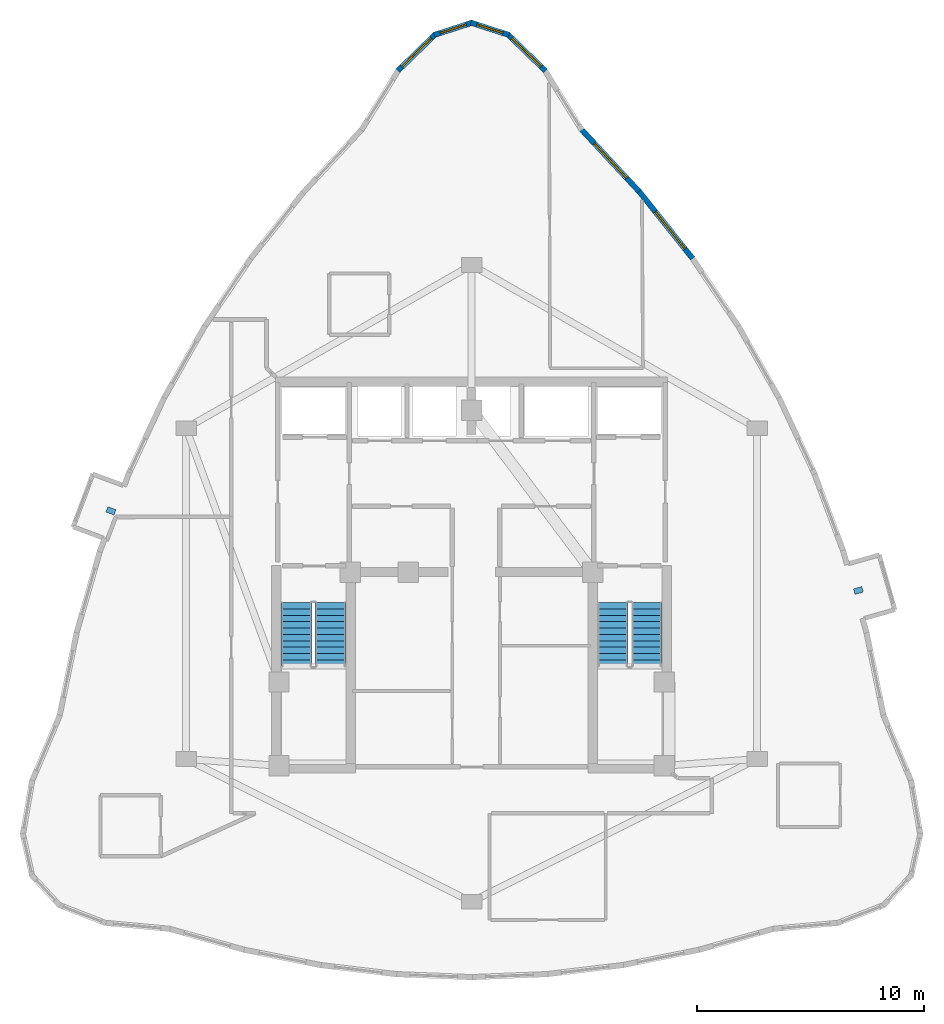
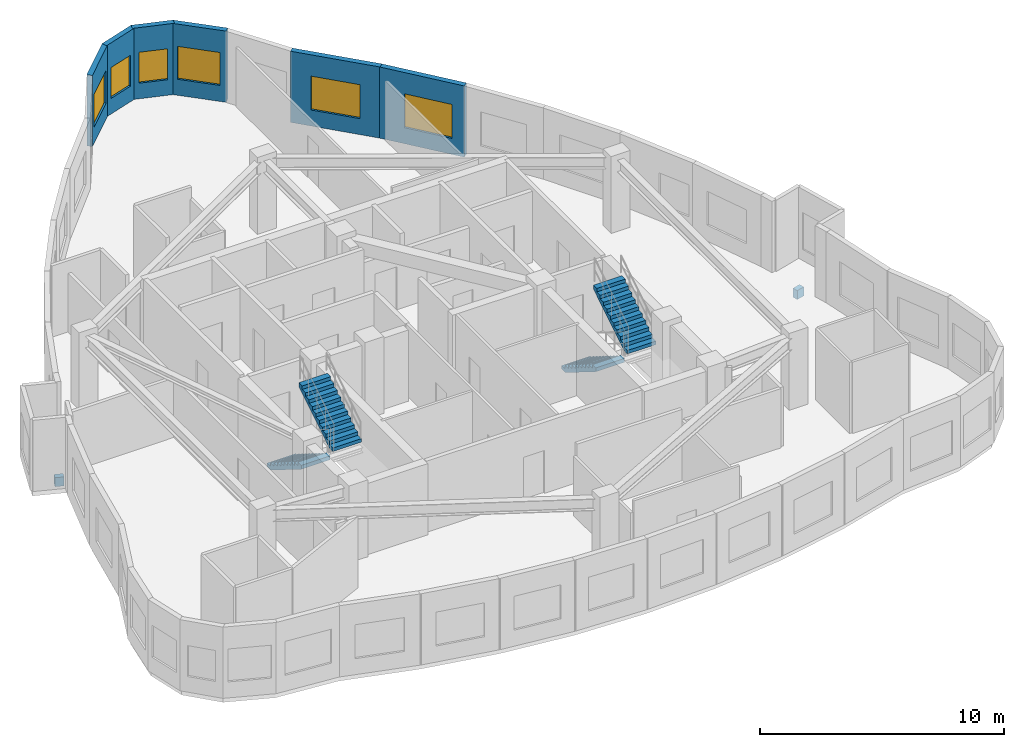
# One storey, part 8 of 9: 6 walls, 6 windows, 4 stair flights, 2 discrete accessories, 6 openings, 2 elements without a shape of their own.
"""IFC4 building model written with IfcOpenShell, lengths in metres."""

from ifc_helpers import new_model, si_unit, direction, frame, frame_2d, origin, origin_2d, place, context, subcontext, project, spatial, polyline, rectangle, outline, extrude, material, layer, layer_set, type_object, element, fill, aggregate, save


model = new_model("IFC4")

# Units and contexts
model_context = context("Model", 3, precision=1e-05, world=origin(), true_north=direction((0.0, 1.0)))
body_context = subcontext(model_context, "Body", "Model", "MODEL_VIEW")
ifc_project = project(units=[si_unit("LENGTHUNIT", "METRE"), si_unit("AREAUNIT", "SQUARE_METRE"), si_unit("VOLUMEUNIT", "CUBIC_METRE"), si_unit("PLANEANGLEUNIT", "RADIAN"), si_unit("MASSUNIT", "GRAM", prefix="KILO")], contexts=[model_context])

# Site, building, storey
site_placement = place(None, origin())
site = spatial("IfcSite", under=ifc_project, at=site_placement, CompositionType="ELEMENT")
building_placement = place(site_placement, origin())
building = spatial("IfcBuilding", under=site, at=building_placement, Name="Miruveldt Soraemaru", CompositionType="ELEMENT")
storey_placement = place(building_placement, frame((0.0, 0.0, 263.550048828125)))
storey = spatial("IfcBuildingStorey", under=building, at=storey_placement, Name="L72", CompositionType="ELEMENT", Elevation=263.550048828125)

# Wall, opening, window
ifc_material_1 = material(Name="Precast concrete C45/55 (45 MPa)", Category="concrete")
ifc_layer = layer(ifc_material_1, 0.239990234375, Name="Precast concrete C45/55 (45 MPa)", Category="concrete")
ifc_layer_set = layer_set([ifc_layer], Name="Precast concrete C45/55 (45 MPa)")
wall_type = type_object("IfcWallType", Name="WALL-EXT-PC240", PredefinedType="SOLIDWALL", material=ifc_layer_set)
wall_1_placement = place(storey_placement, frame((47.25634765625, 66.177001953125, 0.0), z_axis=(0.0, 0.0, 1.0), x_axis=(-0.717755402932, 0.696295326397, 0.0)))
wall_1 = element("IfcWall", 1, at=wall_1_placement, inside=storey, type_object=wall_type, Name="L72 Precast Concrete Facade Wall 2", PredefinedType="SOLIDWALL", context=body_context, shape_type="SweptSolid", body=[
    extrude(rectangle(XDim=2.32080078125, YDim=0.239990234375, at=frame_2d((1.160400390625, 0.0))), origin(), (0.0, 0.0, 1.0), 3.56494140625),
])
opening_1_placement = place(wall_1_placement, frame((0.260986328125, 0.0, 0.800048828125)))
opening_1 = element("IfcOpeningElement", 2, at=opening_1_placement, cuts=wall_1, Name="Opening WN-2", PredefinedType="OPENING", context=body_context, shape_type="SweptSolid", body=[
    extrude(rectangle(XDim=1.800048828125, YDim=1.64990234375, at=frame_2d((0.89990234375, 0.824951171875))), frame((0.0, 0.1298828125, 0.0), z_axis=(0.0, -1.0, 0.0), x_axis=(1.0, 0.0, 0.0)), (0.0, 0.0, 1.0), 0.260009765625),
])
ifc_material_2 = material(Name="Triple low-e insulated glazing", Category="glass")
window_type_1 = type_object("IfcWindowType", Name="WIN-PUNCH-1800x1650", PartitioningType="SINGLE_PANEL", PredefinedType="WINDOW", material=ifc_material_2)
window_1_placement = place(opening_1_placement, origin())
window_1 = element("IfcWindow", 3, at=window_1_placement, inside=storey, type_object=window_type_1, Name="L72 Punched Triple-Glazed Window 02.1", OverallHeight=1.64990234375, OverallWidth=1.800048828125, PartitioningType="SINGLE_PANEL", PredefinedType="WINDOW", context=body_context, shape_type="SweptSolid", body=[
    extrude(rectangle(XDim=1.800048828125, YDim=1.64990234375, at=frame_2d((0.89990234375, 0.824951171875))), frame((0.0, 0.030029296875, 0.0), z_axis=(0.0, -1.0, 0.0), x_axis=(1.0, 0.0, 0.0)), (0.0, 0.0, 1.0), 0.06005859375),
])
fill(opening_1, window_1)

wall_2_placement = place(storey_placement, frame((45.64892578125, 67.7578125, 0.0), z_axis=(0.0, 0.0, 1.0), x_axis=(-0.951530133741, 0.307555530891, 0.0)))
wall_2 = element("IfcWall", 4, at=wall_2_placement, inside=storey, type_object=wall_type, Name="L72 Precast Concrete Facade Wall 3", PredefinedType="SOLIDWALL", context=body_context, shape_type="SweptSolid", body=[
    extrude(rectangle(XDim=1.767822265625, YDim=0.239990234375, at=frame_2d((0.8837890625, 0.0))), origin(), (0.0, 0.0, 1.0), 3.56494140625),
])
opening_2_placement = place(wall_2_placement, frame((0.283935546875, 0.0, 0.780029296875)))
opening_2 = element("IfcOpeningElement", 5, at=opening_2_placement, cuts=wall_2, Name="Opening WN-4", PredefinedType="OPENING", context=body_context, shape_type="SweptSolid", body=[
    extrude(rectangle(XDim=1.199951171875, YDim=1.550048828125, at=frame_2d((0.60009765625, 0.77490234375))), frame((0.0, 0.1298828125, 0.0), z_axis=(0.0, -1.0, 0.0), x_axis=(1.0, 0.0, 0.0)), (0.0, 0.0, 1.0), 0.260009765625),
])
window_type_2 = type_object("IfcWindowType", Name="WIN-PUNCH-1200x1550", PartitioningType="SINGLE_PANEL", PredefinedType="WINDOW", material=ifc_material_2)
window_2_placement = place(opening_2_placement, origin())
window_2 = element("IfcWindow", 6, at=window_2_placement, inside=storey, type_object=window_type_2, Name="L72 Punched Triple-Glazed Window 03.1", OverallHeight=1.550048828125, OverallWidth=1.199951171875, PartitioningType="SINGLE_PANEL", PredefinedType="WINDOW", context=body_context, shape_type="SweptSolid", body=[
    extrude(rectangle(XDim=1.199951171875, YDim=1.550048828125, at=frame_2d((0.60009765625, 0.77490234375))), frame((0.0, 0.030029296875, 0.0), z_axis=(0.0, -1.0, 0.0), x_axis=(1.0, 0.0, 0.0)), (0.0, 0.0, 1.0), 0.06005859375),
])
fill(opening_2, window_2)

wall_3_placement = place(storey_placement, frame((44.033203125, 68.301513671875, 0.0), z_axis=(0.0, 0.0, 1.0), x_axis=(-0.951530133741, -0.307555530891, 0.0)))
wall_3 = element("IfcWall", 7, at=wall_3_placement, inside=storey, type_object=wall_type, Name="L72 Precast Concrete Facade Wall 4", PredefinedType="SOLIDWALL", context=body_context, shape_type="SweptSolid", body=[
    extrude(rectangle(XDim=1.767822265625, YDim=0.239990234375, at=frame_2d((0.8837890625, 0.0))), origin(), (0.0, 0.0, 1.0), 3.56494140625),
])
opening_3_placement = place(wall_3_placement, frame((0.283935546875, 0.0, 0.780029296875)))
opening_3 = element("IfcOpeningElement", 8, at=opening_3_placement, cuts=wall_3, Name="Opening WN-4", PredefinedType="OPENING", context=body_context, shape_type="SweptSolid", body=[
    extrude(rectangle(XDim=1.199951171875, YDim=1.550048828125, at=frame_2d((0.60009765625, 0.77490234375))), frame((0.0, 0.1298828125, 0.0), z_axis=(0.0, -1.0, 0.0), x_axis=(1.0, 0.0, 0.0)), (0.0, 0.0, 1.0), 0.260009765625),
])
window_3_placement = place(opening_3_placement, origin())
window_3 = element("IfcWindow", 9, at=window_3_placement, inside=storey, type_object=window_type_2, Name="L72 Punched Triple-Glazed Window 04.1", OverallHeight=1.550048828125, OverallWidth=1.199951171875, PartitioningType="SINGLE_PANEL", PredefinedType="WINDOW", context=body_context, shape_type="SweptSolid", body=[
    extrude(rectangle(XDim=1.199951171875, YDim=1.550048828125, at=frame_2d((0.60009765625, 0.77490234375))), frame((0.0, 0.030029296875, 0.0), z_axis=(0.0, -1.0, 0.0), x_axis=(1.0, 0.0, 0.0)), (0.0, 0.0, 1.0), 0.06005859375),
])
fill(opening_3, window_3)

wall_4_placement = place(storey_placement, frame((42.409423828125, 67.79296875, 0.0), z_axis=(0.0, 0.0, 1.0), x_axis=(-0.717755402932, -0.696295326397, 0.0)))
wall_4 = element("IfcWall", 10, at=wall_4_placement, inside=storey, type_object=wall_type, Name="L72 Precast Concrete Facade Wall 5", PredefinedType="SOLIDWALL", context=body_context, shape_type="SweptSolid", body=[
    extrude(rectangle(XDim=2.32080078125, YDim=0.239990234375, at=frame_2d((1.160400390625, 0.0))), origin(), (0.0, 0.0, 1.0), 3.56494140625),
])
opening_4_placement = place(wall_4_placement, frame((0.260986328125, 0.0, 0.800048828125)))
opening_4 = element("IfcOpeningElement", 11, at=opening_4_placement, cuts=wall_4, Name="Opening WN-2", PredefinedType="OPENING", context=body_context, shape_type="SweptSolid", body=[
    extrude(rectangle(XDim=1.800048828125, YDim=1.64990234375, at=frame_2d((0.89990234375, 0.824951171875))), frame((0.0, 0.1298828125, 0.0), z_axis=(0.0, -1.0, 0.0), x_axis=(1.0, 0.0, 0.0)), (0.0, 0.0, 1.0), 0.260009765625),
])
window_4_placement = place(opening_4_placement, origin())
window_4 = element("IfcWindow", 12, at=window_4_placement, inside=storey, type_object=window_type_1, Name="L72 Punched Triple-Glazed Window 05.1", OverallHeight=1.64990234375, OverallWidth=1.800048828125, PartitioningType="SINGLE_PANEL", PredefinedType="WINDOW", context=body_context, shape_type="SweptSolid", body=[
    extrude(rectangle(XDim=1.800048828125, YDim=1.64990234375, at=frame_2d((0.89990234375, 0.824951171875))), frame((0.0, 0.030029296875, 0.0), z_axis=(0.0, -1.0, 0.0), x_axis=(1.0, 0.0, 0.0)), (0.0, 0.0, 1.0), 0.06005859375),
])
fill(opening_4, window_4)

wall_5_placement = place(storey_placement, frame((53.75732421875, 57.89208984375, 0.0), z_axis=(0.0, 0.0, 1.0), x_axis=(-0.623631731432, 0.781718276332, 0.0)))
wall_5 = element("IfcWall", 13, at=wall_5_placement, inside=storey, type_object=wall_type, Name="L72 Precast Concrete Facade Wall 41", PredefinedType="SOLIDWALL", context=body_context, shape_type="SweptSolid", body=[
    extrude(rectangle(XDim=3.7822265625, YDim=0.239990234375, at=frame_2d((1.89111328125, 0.0))), origin(), (0.0, 0.0, 1.0), 3.56494140625),
])
opening_5_placement = place(wall_5_placement, frame((0.5400390625, 0.0, 0.800048828125)))
opening_5 = element("IfcOpeningElement", 14, at=opening_5_placement, cuts=wall_5, Name="Opening WN-1", PredefinedType="OPENING", context=body_context, shape_type="SweptSolid", body=[
    extrude(rectangle(XDim=2.10009765625, YDim=1.699951171875, at=frame_2d((1.050048828125, 0.85009765625))), frame((0.0, 0.1298828125, 0.0), z_axis=(0.0, -1.0, 0.0), x_axis=(1.0, 0.0, 0.0)), (0.0, 0.0, 1.0), 0.260009765625),
])
window_type_3 = type_object("IfcWindowType", Name="WIN-PUNCH-2100x1700", PartitioningType="SINGLE_PANEL", PredefinedType="WINDOW", material=ifc_material_2)
window_5_placement = place(opening_5_placement, origin())
window_5 = element("IfcWindow", 15, at=window_5_placement, inside=storey, type_object=window_type_3, Name="L72 Punched Triple-Glazed Window 41.1", OverallHeight=1.699951171875, OverallWidth=2.10009765625, PartitioningType="SINGLE_PANEL", PredefinedType="WINDOW", context=body_context, shape_type="SweptSolid", body=[
    extrude(rectangle(XDim=2.10009765625, YDim=1.699951171875, at=frame_2d((1.050048828125, 0.85009765625))), frame((0.0, 0.030029296875, 0.0), z_axis=(0.0, -1.0, 0.0), x_axis=(1.0, 0.0, 0.0)), (0.0, 0.0, 1.0), 0.06005859375),
])
fill(opening_5, window_5)

wall_6_placement = place(storey_placement, frame((51.4443359375, 60.795654296875, 0.0), z_axis=(0.0, 0.0, 1.0), x_axis=(-0.680891235859, 0.732384547168, 0.0)))
wall_6 = element("IfcWall", 16, at=wall_6_placement, inside=storey, type_object=wall_type, Name="L72 Precast Concrete Facade Wall 42", PredefinedType="SOLIDWALL", context=body_context, shape_type="SweptSolid", body=[
    extrude(rectangle(XDim=3.849853515625, YDim=0.239990234375, at=frame_2d((1.9248046875, 0.0))), origin(), (0.0, 0.0, 1.0), 3.56494140625),
])
opening_6_placement = place(wall_6_placement, frame((0.875, 0.0, 0.800048828125)))
opening_6 = element("IfcOpeningElement", 17, at=opening_6_placement, cuts=wall_6, Name="Opening WN-1", PredefinedType="OPENING", context=body_context, shape_type="SweptSolid", body=[
    extrude(rectangle(XDim=2.10009765625, YDim=1.699951171875, at=frame_2d((1.050048828125, 0.85009765625))), frame((0.0, 0.1298828125, 0.0), z_axis=(0.0, -1.0, 0.0), x_axis=(1.0, 0.0, 0.0)), (0.0, 0.0, 1.0), 0.260009765625),
])
window_6_placement = place(opening_6_placement, origin())
window_6 = element("IfcWindow", 18, at=window_6_placement, inside=storey, type_object=window_type_3, Name="L72 Punched Triple-Glazed Window 42.1", OverallHeight=1.699951171875, OverallWidth=2.10009765625, PartitioningType="SINGLE_PANEL", PredefinedType="WINDOW", context=body_context, shape_type="SweptSolid", body=[
    extrude(rectangle(XDim=2.10009765625, YDim=1.699951171875, at=frame_2d((1.050048828125, 0.85009765625))), frame((0.0, 0.030029296875, 0.0), z_axis=(0.0, -1.0, 0.0), x_axis=(1.0, 0.0, 0.0)), (0.0, 0.0, 1.0), 0.06005859375),
])
fill(opening_6, window_6)

# Stair, stair flights
ifc_material_3 = material(Name="Concrete C40/50 (40 MPa)", Category="concrete")
stair_type = type_object("IfcStairType", Name="STAIR-DL-385", PredefinedType="HALF_TURN_STAIR", material=ifc_material_3)
stair_1_placement = place(storey_placement, origin())
stair_1 = element("IfcStair", 19, at=stair_1_placement, inside=storey, type_object=stair_type, Name="L72 Protected Exit Stair ST-1", PredefinedType="HALF_TURN_STAIR")
stair_flight_type = type_object("IfcStairFlightType", Name="SFL-DL-385", PredefinedType="STRAIGHT", material=ifc_material_3)
stair_flight_1_placement = place(storey_placement, frame((36.27490234375, 42.699951171875, 0.0), z_axis=(0.0, 0.0, 1.0), x_axis=(0.0, -1.0, 0.0)))
stair_flight_1 = element("IfcStairFlight", 20, at=stair_flight_1_placement, type_object=stair_flight_type, Name="ST-1 flight 1", NumberOfRisers=11, NumberOfTreads=10, PredefinedType="STRAIGHT", RiserHeight=0.175, TreadLength=0.28, context=body_context, shape_type="SweptSolid", body=[
    extrude(outline(polyline([(0.0, 0.0), (0.0, 0.175048828125), (0.280029296875, 0.175048828125), (0.280029296875, 0.35009765625), (0.56005859375, 0.35009765625), (0.56005859375, 0.52490234375), (0.840087890625, 0.52490234375), (0.840087890625, 0.699951171875), (1.1201171875, 0.699951171875), (1.1201171875, 0.875), (1.39990234375, 0.875), (1.39990234375, 1.050048828125), (1.679931640625, 1.050048828125), (1.679931640625, 1.22509765625), (1.9599609375, 1.22509765625), (1.9599609375, 1.39990234375), (2.239990234375, 1.39990234375), (2.239990234375, 1.574951171875), (2.52001953125, 1.574951171875), (2.52001953125, 1.75), (2.800048828125, 1.75), (2.800048828125, 1.925048828125), (2.800048828125, 1.5615234375), (0.3017578125, 0.0), (0.0, 0.0)])), frame((0.0, 0.675048828125, 0.0), z_axis=(0.0, -1.0, 0.0), x_axis=(1.0, 0.0, 0.0)), (0.0, 0.0, 1.0), 1.35009765625),
])
stair_flight_2_placement = place(storey_placement, frame((37.77490234375, 39.89990234375, 1.925048828125), z_axis=(0.0, 0.0, 1.0), x_axis=(0.0, 1.0, 0.0)))
stair_flight_2 = element("IfcStairFlight", 21, at=stair_flight_2_placement, type_object=stair_flight_type, Name="ST-1 flight 2", NumberOfRisers=11, NumberOfTreads=10, PredefinedType="STRAIGHT", RiserHeight=0.175, TreadLength=0.28, context=body_context, shape_type="SweptSolid", body=[
    extrude(outline(polyline([(0.0, 0.0), (0.0, 0.175048828125), (0.280029296875, 0.175048828125), (0.280029296875, 0.35009765625), (0.56005859375, 0.35009765625), (0.56005859375, 0.52490234375), (0.840087890625, 0.52490234375), (0.840087890625, 0.699951171875), (1.1201171875, 0.699951171875), (1.1201171875, 0.875), (1.39990234375, 0.875), (1.39990234375, 1.050048828125), (1.679931640625, 1.050048828125), (1.679931640625, 1.22509765625), (1.9599609375, 1.22509765625), (1.9599609375, 1.39990234375), (2.239990234375, 1.39990234375), (2.239990234375, 1.574951171875), (2.52001953125, 1.574951171875), (2.52001953125, 1.75), (2.800048828125, 1.75), (2.800048828125, 1.925048828125), (2.800048828125, 1.5615234375), (0.3017578125, 0.0), (0.0, 0.0)])), frame((0.0, 0.675048828125, 0.0), z_axis=(0.0, -1.0, 0.0), x_axis=(1.0, 0.0, 0.0)), (0.0, 0.0, 1.0), 1.35009765625),
])
aggregate(stair_1, [stair_flight_1, stair_flight_2])

stair_2_placement = place(storey_placement, origin())
stair_2 = element("IfcStair", 22, at=stair_2_placement, inside=storey, type_object=stair_type, Name="L72 Protected Exit Stair ST-2", PredefinedType="HALF_TURN_STAIR")
stair_flight_3_placement = place(storey_placement, frame((50.22509765625, 42.699951171875, 0.0), z_axis=(0.0, 0.0, 1.0), x_axis=(0.0, -1.0, 0.0)))
stair_flight_3 = element("IfcStairFlight", 23, at=stair_flight_3_placement, type_object=stair_flight_type, Name="ST-2 flight 1", NumberOfRisers=11, NumberOfTreads=10, PredefinedType="STRAIGHT", RiserHeight=0.175, TreadLength=0.28, context=body_context, shape_type="SweptSolid", body=[
    extrude(outline(polyline([(0.0, 0.0), (0.0, 0.175048828125), (0.280029296875, 0.175048828125), (0.280029296875, 0.35009765625), (0.56005859375, 0.35009765625), (0.56005859375, 0.52490234375), (0.840087890625, 0.52490234375), (0.840087890625, 0.699951171875), (1.1201171875, 0.699951171875), (1.1201171875, 0.875), (1.39990234375, 0.875), (1.39990234375, 1.050048828125), (1.679931640625, 1.050048828125), (1.679931640625, 1.22509765625), (1.9599609375, 1.22509765625), (1.9599609375, 1.39990234375), (2.239990234375, 1.39990234375), (2.239990234375, 1.574951171875), (2.52001953125, 1.574951171875), (2.52001953125, 1.75), (2.800048828125, 1.75), (2.800048828125, 1.925048828125), (2.800048828125, 1.5615234375), (0.3017578125, 0.0), (0.0, 0.0)])), frame((0.0, 0.675048828125, 0.0), z_axis=(0.0, -1.0, 0.0), x_axis=(1.0, 0.0, 0.0)), (0.0, 0.0, 1.0), 1.35009765625),
])
stair_flight_4_placement = place(storey_placement, frame((51.72509765625, 39.89990234375, 1.925048828125), z_axis=(0.0, 0.0, 1.0), x_axis=(0.0, 1.0, 0.0)))
stair_flight_4 = element("IfcStairFlight", 24, at=stair_flight_4_placement, type_object=stair_flight_type, Name="ST-2 flight 2", NumberOfRisers=11, NumberOfTreads=10, PredefinedType="STRAIGHT", RiserHeight=0.175, TreadLength=0.28, context=body_context, shape_type="SweptSolid", body=[
    extrude(outline(polyline([(0.0, 0.0), (0.0, 0.175048828125), (0.280029296875, 0.175048828125), (0.280029296875, 0.35009765625), (0.56005859375, 0.35009765625), (0.56005859375, 0.52490234375), (0.840087890625, 0.52490234375), (0.840087890625, 0.699951171875), (1.1201171875, 0.699951171875), (1.1201171875, 0.875), (1.39990234375, 0.875), (1.39990234375, 1.050048828125), (1.679931640625, 1.050048828125), (1.679931640625, 1.22509765625), (1.9599609375, 1.22509765625), (1.9599609375, 1.39990234375), (2.239990234375, 1.39990234375), (2.239990234375, 1.574951171875), (2.52001953125, 1.574951171875), (2.52001953125, 1.75), (2.800048828125, 1.75), (2.800048828125, 1.925048828125), (2.800048828125, 1.5615234375), (0.3017578125, 0.0), (0.0, 0.0)])), frame((0.0, 0.675048828125, 0.0), z_axis=(0.0, -1.0, 0.0), x_axis=(1.0, 0.0, 0.0)), (0.0, 0.0, 1.0), 1.35009765625),
])
aggregate(stair_2, [stair_flight_3, stair_flight_4])

# Discrete accessories
ifc_material_4 = material(Name="Steel SM355 (355 MPa)", Category="steel")
discrete_accessory_type = type_object("IfcDiscreteAccessoryType", Name="ACC-BAY-BRK", PredefinedType="BRACKET", material=ifc_material_4)
for number, where, z_axis, x_axis, name in (
    (25, (28.0830078125, 46.751220703125, -0.72998046875), (0.0, 0.0, 1.0), (-0.93711153314, 0.349030048069, 0.0), "L72 Bay Window Cantilever Bracket 1"),
    (26, (61.071044921875, 43.2373046875, -0.72998046875), (0.0, 0.0, 1.0), (0.961453892845, 0.274966201438, 0.0), "L72 Bay Window Cantilever Bracket 2"),
):
    element("IfcDiscreteAccessory", number, at=place(storey_placement, frame(where, z_axis=z_axis, x_axis=x_axis)), inside=storey, type_object=discrete_accessory_type, Name=name, PredefinedType="BRACKET", context=body_context, shape_type="SweptSolid", body=[
        extrude(rectangle(XDim=0.3798828125, YDim=0.25, at=origin_2d()), origin(), (0.0, 0.0, 1.0), 0.449951171875),
    ])

save(model, "model.ifc")
